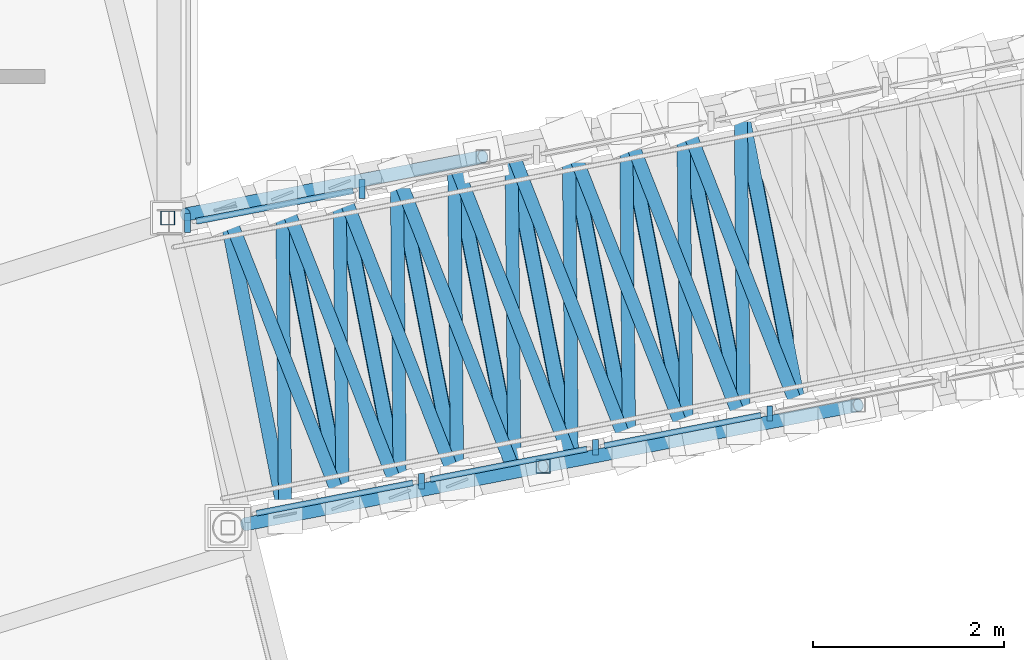
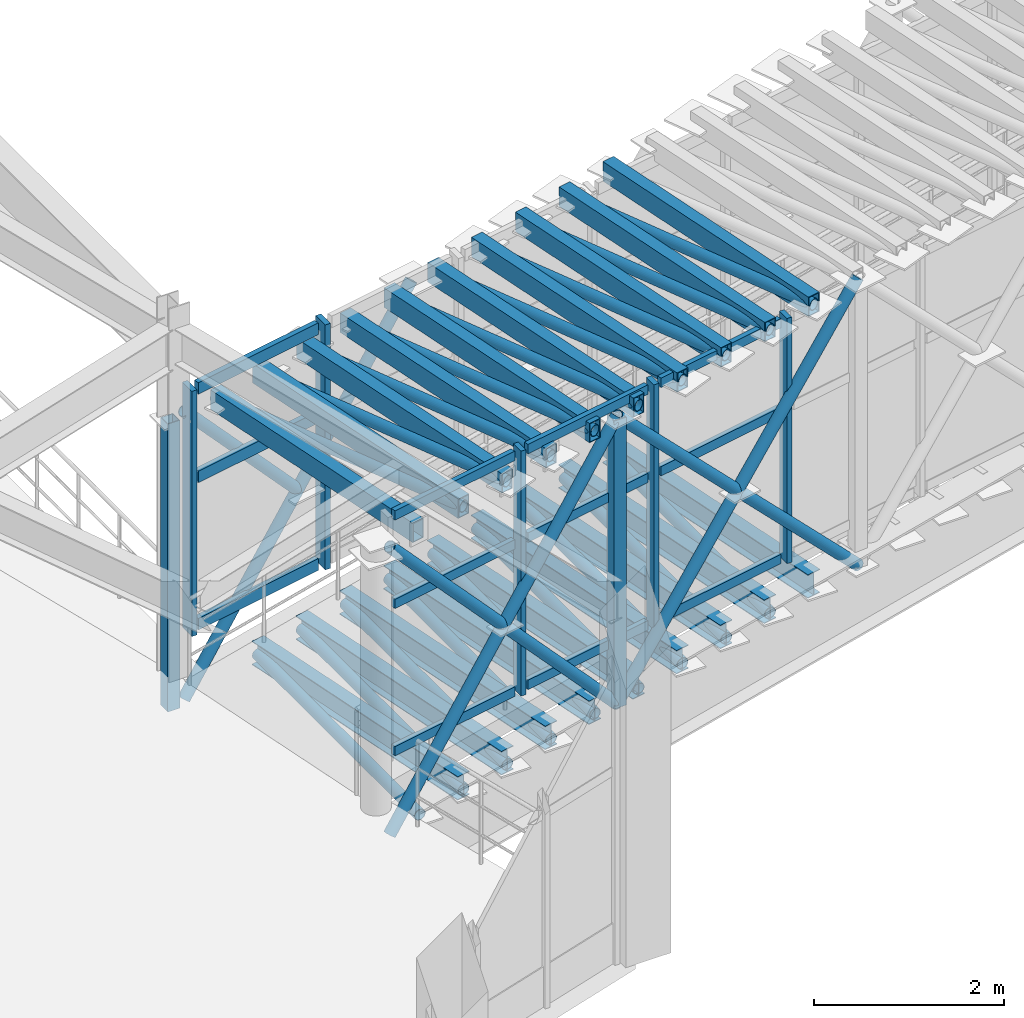
# One storey, part 47 of 144: 55 members, 9 beams, 2 elements without a shape of their own.
"""IFC4 building model written with IfcOpenShell, lengths in metres."""

from ifc_helpers import new_model, si_unit, direction, frame, origin, origin_2d, place, context, subcontext, project, spatial, rectangle, hollow_rectangle, hollow_circle, i_section, extrude, material, material_profile, profile_set, type_object, element, aggregate, save


model = new_model("IFC4")

# Units and contexts
model_context = context("Model", 3, precision=1e-05, world=origin(), true_north=direction((0.0, 1.0)))
body_context = subcontext(model_context, "Body", "Model", "MODEL_VIEW")
ifc_project = project(units=[si_unit("LENGTHUNIT", "METRE"), si_unit("AREAUNIT", "SQUARE_METRE"), si_unit("VOLUMEUNIT", "CUBIC_METRE"), si_unit("PLANEANGLEUNIT", "RADIAN"), si_unit("MASSUNIT", "GRAM", prefix="KILO")], contexts=[model_context])

# Site, building, storey
site_placement = place(None, origin())
site = spatial("IfcSite", under=ifc_project, at=site_placement, CompositionType="ELEMENT")
building_placement = place(site_placement, origin())
building = spatial("IfcBuilding", under=site, at=building_placement, Name="Cinderbank Siding Concert Hall", CompositionType="ELEMENT")
storey_placement = place(building_placement, frame((0.0, 0.0, 5.39990234375)))
storey = spatial("IfcBuildingStorey", under=building, at=storey_placement, Name="L02", CompositionType="ELEMENT", Elevation=5.39990234375)

# Members
ifc_material_1 = material(Name="Structural steel hollow section AS/NZS 1163 Grade C350L0 (350 MPa)", Category="steel")
ifc_material_profile_1 = material_profile(ifc_material_1, hollow_circle(Radius=0.06982421875, WallThickness=0.00634765625, at=origin_2d()), Name="139.7x6.4CHS", Category="LoadBearing")
ifc_profile_set_1 = profile_set([ifc_material_profile_1], Name="Structural steel hollow section AS/NZS 1163 Grade C350L0 (350 MPa)")
member_type_1 = type_object("IfcMemberType", Name="BR-CHS139 139.7x6.4CHS Roof Truss", PredefinedType="BRACE", material=ifc_profile_set_1)
member_1_placement = place(storey_placement, frame((48.671630859375, 98.156005859375, -0.436279296875), z_axis=(0.616658448325, 0.119838614193, 0.778055952139), x_axis=(-0.190766589414, 0.981635425381, 0.0)))
element("IfcMember", 1, at=member_1_placement, inside=storey, type_object=member_type_1, Name="L02 Diagonal Brace BR-CHS139 #BRDL-BR-CHS139-L02-0040", PredefinedType="BRACE", context=body_context, shape_type="SweptSolid", body=[
    extrude(hollow_circle(Radius=0.06982421875, WallThickness=0.00634765625, at=origin_2d()), origin(), (0.0, 0.0, 1.0), 5.046142578125),
])
member_2_placement = place(storey_placement, frame((48.671630859375, 98.156005859375, 3.263671875), z_axis=(0.661727411759, 0.128541490282, -0.738643295375), x_axis=(-0.190687077549, 0.981650874016, 0.0)))
element("IfcMember", 2, at=member_2_placement, inside=storey, type_object=member_type_1, Name="L02 Diagonal Brace BR-CHS139 #BRDL-BR-CHS139-L02-0041", PredefinedType="BRACE", context=body_context, shape_type="SweptSolid", body=[
    extrude(hollow_circle(Radius=0.06982421875, WallThickness=0.00634765625, at=origin_2d()), origin(), (0.0, 0.0, 1.0), 2.336181640625),
])
member_3_placement = place(storey_placement, frame((49.301513671875, 94.916259765625, -0.436279296875), z_axis=(0.616654872336, 0.119886299517, 0.77805144021), x_axis=(-0.190840800226, 0.981621000677, 0.0)))
element("IfcMember", 3, at=member_3_placement, inside=storey, type_object=member_type_1, Name="L02 Diagonal Brace BR-CHS139 #BRDR-BR-CHS139-L02-0052", PredefinedType="BRACE", context=body_context, shape_type="SweptSolid", body=[
    extrude(hollow_circle(Radius=0.06982421875, WallThickness=0.00634765625, at=origin_2d()), origin(), (0.0, 0.0, 1.0), 5.04638671875),
])
member_4_placement = place(storey_placement, frame((49.301513671875, 94.916259765625, 3.263671875), z_axis=(0.661718519166, 0.128644266755, -0.738633369151), x_axis=(-0.190836463929, 0.981621843703, 0.0)))
element("IfcMember", 4, at=member_4_placement, inside=storey, type_object=member_type_1, Name="L02 Diagonal Brace BR-CHS139 #BRDR-BR-CHS139-L02-0053", PredefinedType="BRACE", context=body_context, shape_type="SweptSolid", body=[
    extrude(hollow_circle(Radius=0.06982421875, WallThickness=0.00634765625, at=origin_2d()), origin(), (0.0, 0.0, 1.0), 2.336181640625),
])
member_5_placement = place(storey_placement, frame((50.8671875, 95.220703125, 1.515869140625), z_axis=(0.661726184435, 0.128625443398, -0.738629780163), x_axis=(-0.190807427444, 0.981627488222, 0.0)))
element("IfcMember", 5, at=member_5_placement, inside=storey, type_object=member_type_1, Name="L02 Diagonal Brace BR-CHS139 #BRDR-BR-CHS139-L02-0053-S5", PredefinedType="BRACE", context=body_context, shape_type="SweptSolid", body=[
    extrude(hollow_circle(Radius=0.06982421875, WallThickness=0.00634765625, at=origin_2d()), origin(), (0.0, 0.0, 1.0), 2.33642578125),
])
member_6_placement = place(storey_placement, frame((52.413330078125, 95.521240234375, -0.2099609375), z_axis=(0.636941217674, 0.123861468564, 0.760896985034), x_axis=(-0.190887163155, 0.981611985941, 0.0)))
element("IfcMember", 6, at=member_6_placement, inside=storey, type_object=member_type_1, Name="L02 Diagonal Brace BR-CHS139 #BRDR-BR-CHS139-L02-0055", PredefinedType="BRACE", context=body_context, shape_type="SweptSolid", body=[
    extrude(hollow_circle(Radius=0.06982421875, WallThickness=0.00634765625, at=origin_2d()), origin(), (0.0, 0.0, 1.0), 5.177978515625),
])
member_7_placement = place(storey_placement, frame((52.413330078125, 95.521240234375, 3.489990234375), z_axis=(0.683867487027, 0.132962912779, -0.717388405268), x_axis=(-0.19085400127, 0.981618434117, 0.0)))
element("IfcMember", 7, at=member_7_placement, inside=storey, type_object=member_type_1, Name="L02 Diagonal Brace BR-CHS139 #BRDR-BR-CHS139-L02-0056", PredefinedType="BRACE", context=body_context, shape_type="SweptSolid", body=[
    extrude(hollow_circle(Radius=0.06982421875, WallThickness=0.00634765625, at=origin_2d()), origin(), (0.0, 0.0, 1.0), 2.396240234375),
])
member_8_placement = place(storey_placement, frame((54.072509765625, 95.843994140625, 1.749267578125), z_axis=(0.683871737706, 0.132943932326, -0.717387870837), x_axis=(-0.190826606127, 0.981623760101, 0.0)))
element("IfcMember", 8, at=member_8_placement, inside=storey, type_object=member_type_1, Name="L02 Diagonal Brace BR-CHS139 #BRDR-BR-CHS139-L02-0056-S6", PredefinedType="BRACE", context=body_context, shape_type="SweptSolid", body=[
    extrude(hollow_circle(Radius=0.06982421875, WallThickness=0.00634765625, at=origin_2d()), origin(), (0.0, 0.0, 1.0), 2.396484375),
])
member_9_placement = place(storey_placement, frame((49.714599609375, 94.99658203125, -0.376220703125), z_axis=(-0.008946290266, 0.999875221798, 0.013019398029), x_axis=(-0.99995997436, -0.008947048581, 0.0)))
element("IfcMember", 9, at=member_9_placement, inside=storey, type_object=member_type_1, Name="L02 Diagonal Brace BR-CHS139 #BRST-BR-CHS139-L02-0065", PredefinedType="BRACE", context=body_context, shape_type="SweptSolid", body=[
    extrude(hollow_circle(Radius=0.06982421875, WallThickness=0.00634765625, at=origin_2d()), origin(), (0.0, 0.0, 1.0), 3.356689453125),
])
member_10_placement = place(storey_placement, frame((49.084716796875, 98.236083984375, 3.263671875), z_axis=(0.366375149521, -0.930376124186, 0.013019883217), x_axis=(0.930454991664, 0.366406206943, 0.0)))
element("IfcMember", 10, at=member_10_placement, inside=storey, type_object=member_type_1, Name="L02 Diagonal Brace BR-CHS139 #BRXR-BR-CHS139-L02-0066", PredefinedType="BRACE", context=body_context, shape_type="SweptSolid", body=[
    extrude(hollow_circle(Radius=0.06982421875, WallThickness=0.00634765625, at=origin_2d()), origin(), (0.0, 0.0, 1.0), 3.3564453125),
])
for number, where, z_axis, x_axis, name in (
    (11, (50.314453125, 95.11328125, -0.33251953125), (-0.009019026957, 0.999875512725, 0.012946667729), (-0.999959320931, -0.00901978292, 0.0), "L02 Diagonal Brace BR-CHS139 #BRST-BR-CHS139-L02-0068"),
    (12, (49.6845703125, 98.352783203125, 3.307373046875), (0.366287384681, -0.930410688015, 0.013019349058), (0.930489551952, 0.366318432116, 0.0), "L02 Diagonal Brace BR-CHS139 #BRXR-BR-CHS139-L02-0069"),
    (13, (50.9140625, 95.229736328125, -0.2890625), (-0.00901901844, 0.999874568535, 0.013019389523), (-0.999959320931, -0.00901978292, 0.0), "L02 Diagonal Brace BR-CHS139 #BRST-BR-CHS139-L02-0071"),
    (14, (50.2841796875, 98.469482421875, 3.35107421875), (0.366287730568, -0.930411566605, 0.01294662749), (0.930489551952, 0.366318432116, 0.0), "L02 Diagonal Brace BR-CHS139 #BRXR-BR-CHS139-L02-0072"),
):
    element("IfcMember", number, at=place(storey_placement, frame(where, z_axis=z_axis, x_axis=x_axis)), inside=storey, type_object=member_type_1, Name=name, PredefinedType="BRACE", context=body_context, shape_type="SweptSolid", body=[
        extrude(hollow_circle(Radius=0.06982421875, WallThickness=0.00634765625, at=origin_2d()), origin(), (0.0, 0.0, 1.0), 3.356689453125),
    ])
member_11_placement = place(storey_placement, frame((51.513671875, 95.346435546875, -0.245361328125), z_axis=(-0.009019674395, 0.999874550288, 0.013020336425), x_axis=(-0.999959315012, -0.009020439041, 0.0)))
element("IfcMember", 15, at=member_11_placement, inside=storey, type_object=member_type_1, Name="L02 Diagonal Brace BR-CHS139 #BRST-BR-CHS139-L02-0074", PredefinedType="BRACE", context=body_context, shape_type="SweptSolid", body=[
    extrude(hollow_circle(Radius=0.06982421875, WallThickness=0.00634765625, at=origin_2d()), origin(), (0.0, 0.0, 1.0), 3.3564453125),
])
for number, where, z_axis, x_axis, name in (
    (16, (50.8837890625, 98.5859375, 3.39453125), (0.366287384681, -0.930410688015, 0.013019349058), (0.930489551952, 0.366318432116, 0.0), "L02 Diagonal Brace BR-CHS139 #BRXR-BR-CHS139-L02-0075"),
    (17, (52.11328125, 95.462890625, -0.20166015625), (-0.008946298714, 0.99987616599, 0.012946676187), (-0.99995997436, -0.008947048581, 0.0), "L02 Diagonal Brace BR-CHS139 #BRST-BR-CHS139-L02-0077"),
):
    element("IfcMember", number, at=place(storey_placement, frame(where, z_axis=z_axis, x_axis=x_axis)), inside=storey, type_object=member_type_1, Name=name, PredefinedType="BRACE", context=body_context, shape_type="SweptSolid", body=[
        extrude(hollow_circle(Radius=0.06982421875, WallThickness=0.00634765625, at=origin_2d()), origin(), (0.0, 0.0, 1.0), 3.356689453125),
    ])
for number, where, z_axis, x_axis, name in (
    (18, (51.4833984375, 98.702392578125, 3.438232421875), (0.366375149521, -0.930376124186, 0.013019883217), (0.930454991664, 0.366406206943, 0.0), "L02 Diagonal Brace BR-CHS139 #BRXR-BR-CHS139-L02-0078"),
    (19, (52.713134765625, 95.57958984375, -0.158203125), (-0.009019674395, 0.999874550288, 0.013020336425), (-0.999959315012, -0.009020439041, 0.0), "L02 Diagonal Brace BR-CHS139 #BRST-BR-CHS139-L02-0080"),
):
    element("IfcMember", number, at=place(storey_placement, frame(where, z_axis=z_axis, x_axis=x_axis)), inside=storey, type_object=member_type_1, Name=name, PredefinedType="BRACE", context=body_context, shape_type="SweptSolid", body=[
        extrude(hollow_circle(Radius=0.06982421875, WallThickness=0.00634765625, at=origin_2d()), origin(), (0.0, 0.0, 1.0), 3.3564453125),
    ])
for number, where, z_axis, x_axis, name in (
    (20, (52.083251953125, 98.819091796875, 3.48193359375), (0.366287384681, -0.930410688015, 0.013019349058), (0.930489551952, 0.366318432116, 0.0), "L02 Diagonal Brace BR-CHS139 #BRXR-BR-CHS139-L02-0081"),
    (21, (53.312744140625, 95.696044921875, -0.114501953125), (-0.008946290266, 0.999875221798, 0.013019398029), (-0.99995997436, -0.008947048581, 0.0), "L02 Diagonal Brace BR-CHS139 #BRST-BR-CHS139-L02-0083"),
):
    element("IfcMember", number, at=place(storey_placement, frame(where, z_axis=z_axis, x_axis=x_axis)), inside=storey, type_object=member_type_1, Name=name, PredefinedType="BRACE", context=body_context, shape_type="SweptSolid", body=[
        extrude(hollow_circle(Radius=0.06982421875, WallThickness=0.00634765625, at=origin_2d()), origin(), (0.0, 0.0, 1.0), 3.356689453125),
    ])
for number, where, z_axis, x_axis, name in (
    (22, (52.682861328125, 98.935546875, 3.525634765625), (0.366375495518, -0.930377002814, 0.012947158666), (0.930454991664, 0.366406206943, 0.0), "L02 Diagonal Brace BR-CHS139 #BRXR-BR-CHS139-L02-0084"),
    (23, (53.91259765625, 95.812744140625, -0.07080078125), (-0.009092407715, 0.999873891641, 0.013020327848), (-0.999958656197, -0.009093178526, 0.0), "L02 Diagonal Brace BR-CHS139 #BRST-BR-CHS139-L02-0086"),
):
    element("IfcMember", number, at=place(storey_placement, frame(where, z_axis=z_axis, x_axis=x_axis)), inside=storey, type_object=member_type_1, Name=name, PredefinedType="BRACE", context=body_context, shape_type="SweptSolid", body=[
        extrude(hollow_circle(Radius=0.06982421875, WallThickness=0.00634765625, at=origin_2d()), origin(), (0.0, 0.0, 1.0), 3.3564453125),
    ])
for number, where, z_axis, x_axis, name in (
    (24, (53.28271484375, 99.05224609375, 3.569091796875), (0.366287384681, -0.930410688015, 0.013019349058), (0.930489551952, 0.366318432116, 0.0), "L02 Diagonal Brace BR-CHS139 #BRXR-BR-CHS139-L02-0087"),
    (25, (54.51220703125, 95.92919921875, -0.027099609375), (-0.00901901844, 0.999874568535, 0.013019389523), (-0.999959320931, -0.00901978292, 0.0), "L02 Diagonal Brace BR-CHS139 #BRST-BR-CHS139-L02-0089"),
):
    element("IfcMember", number, at=place(storey_placement, frame(where, z_axis=z_axis, x_axis=x_axis)), inside=storey, type_object=member_type_1, Name=name, PredefinedType="BRACE", context=body_context, shape_type="SweptSolid", body=[
        extrude(hollow_circle(Radius=0.06982421875, WallThickness=0.00634765625, at=origin_2d()), origin(), (0.0, 0.0, 1.0), 3.356689453125),
    ])
member_12_placement = place(storey_placement, frame((53.882080078125, 99.168701171875, 3.61279296875), z_axis=(0.366375149521, -0.930376124186, 0.013019883217), x_axis=(0.930454991664, 0.366406206943, 0.0)))
element("IfcMember", 26, at=member_12_placement, inside=storey, type_object=member_type_1, Name="L02 Diagonal Brace BR-CHS139 #BRXR-BR-CHS139-L02-0090", PredefinedType="BRACE", context=body_context, shape_type="SweptSolid", body=[
    extrude(hollow_circle(Radius=0.06982421875, WallThickness=0.00634765625, at=origin_2d()), origin(), (0.0, 0.0, 1.0), 3.3564453125),
])
ifc_material_profile_2 = material_profile(ifc_material_1, hollow_rectangle(XDim=0.14990234375, YDim=0.14990234375, WallThickness=0.008056640625, at=origin_2d()), Name="150x150x8.0SHS", Category="LoadBearing")
ifc_profile_set_2 = profile_set([ifc_material_profile_2], Name="Structural steel hollow section AS/NZS 1163 Grade C350L0 (350 MPa)")
member_type_2 = type_object("IfcMemberType", Name="BR-SHS150 150x150x8.0SHS Roof Truss", PredefinedType="BRACE", material=ifc_profile_set_2)
for number, where, z_axis, x_axis, name in (
    (27, (48.485107421875, 98.11962890625, -0.449951171875), (0.0, 0.0, 1.0), (1.0, 0.0, 0.0), "L02 Diagonal Brace BR-SHS150 #BRVL-BR-SHS150-L02-0039"),
    (28, (52.413330078125, 95.521240234375, -0.2099609375), (0.0, 0.0, 1.0), (1.0, 0.0, 0.0), "L02 Diagonal Brace BR-SHS150 #BRVR-BR-SHS150-L02-0054"),
):
    element("IfcMember", number, at=place(storey_placement, frame(where, z_axis=z_axis, x_axis=x_axis)), inside=storey, type_object=member_type_2, Name=name, PredefinedType="BRACE", context=body_context, shape_type="SweptSolid", body=[
        extrude(hollow_rectangle(XDim=0.14990234375, YDim=0.14990234375, WallThickness=0.008056640625, at=origin_2d()), origin(), (0.0, 0.0, 1.0), 3.699951171875),
    ])

# Curtain wall, members
ifc_material_2 = material(Name="Anodised aluminium alloy 6063-T6", Category="aluminium")
curtain_wall_type = type_object("IfcCurtainWallType", Name="CW-15 Unitised Acoustic Curtain Wall 12800x3200", PredefinedType="NOTDEFINED", material=ifc_material_2)
curtain_wall_1_placement = place(storey_placement, origin())
curtain_wall_1 = element("IfcCurtainWall", 29, at=curtain_wall_1_placement, inside=storey, type_object=curtain_wall_type, Name="L02 Curtain Wall CW-15 #154", PredefinedType="NOTDEFINED")
ifc_material_profile_3 = material_profile(ifc_material_2, rectangle(XDim=0.06005859375, YDim=0.159912109375, at=origin_2d()), Name="ALU-MULL-60x160", Category="LoadBearing")
ifc_profile_set_3 = profile_set([ifc_material_profile_3], Name="Anodised aluminium alloy 6063-T6")
member_type_3 = type_object("IfcMemberType", Name="CW-ML1 Mullion 60x160", PredefinedType="MULLION", material=ifc_profile_set_3)
member_13_placement = place(storey_placement, frame((51.1416015625, 95.365966796875, 0.47998046875), z_axis=(0.0, 0.0, 1.0), x_axis=(1.0, 0.0, 0.0)))
member_13 = element("IfcMember", 30, at=member_13_placement, type_object=member_type_3, Name="CW-L02-154 Mullion 1", PredefinedType="MULLION", context=body_context, shape_type="SweptSolid", body=[
    extrude(rectangle(XDim=0.06005859375, YDim=0.159912109375, at=origin_2d()), origin(), (0.0, 0.0, 1.0), 3.150146484375),
])
member_14_placement = place(storey_placement, frame((52.962646484375, 95.719970703125, 0.47998046875), z_axis=(0.0, 0.0, 1.0), x_axis=(1.0, 0.0, 0.0)))
member_14 = element("IfcMember", 31, at=member_14_placement, type_object=member_type_3, Name="CW-L02-154 Mullion 2", PredefinedType="MULLION", context=body_context, shape_type="SweptSolid", body=[
    extrude(rectangle(XDim=0.06005859375, YDim=0.159912109375, at=origin_2d()), origin(), (0.0, 0.0, 1.0), 3.150146484375),
])
member_15_placement = place(storey_placement, frame((54.78369140625, 96.073974609375, 0.47998046875), z_axis=(0.0, 0.0, 1.0), x_axis=(1.0, 0.0, 0.0)))
member_15 = element("IfcMember", 32, at=member_15_placement, type_object=member_type_3, Name="CW-L02-154 Mullion 3", PredefinedType="MULLION", context=body_context, shape_type="SweptSolid", body=[
    extrude(rectangle(XDim=0.06005859375, YDim=0.159912109375, at=origin_2d()), origin(), (0.0, 0.0, 1.0), 3.150146484375),
])

curtain_wall_2_placement = place(storey_placement, origin())
curtain_wall_2 = element("IfcCurtainWall", 33, at=curtain_wall_2_placement, inside=storey, type_object=curtain_wall_type, Name="L02 Curtain Wall CW-15 #153", PredefinedType="NOTDEFINED")
ifc_material_profile_4 = material_profile(ifc_material_2, rectangle(XDim=0.06494140625, YDim=0.199951171875, at=origin_2d()), Name="ALU-MULL-65x200", Category="LoadBearing")
ifc_profile_set_4 = profile_set([ifc_material_profile_4], Name="Anodised aluminium alloy 6063-T6")
member_type_4 = type_object("IfcMemberType", Name="CW-ML2 Mullion 65x200", PredefinedType="MULLION", material=ifc_profile_set_4)
member_16_placement = place(storey_placement, frame((48.69189453125, 98.068115234375, 0.47998046875), z_axis=(0.0, 0.0, 1.0), x_axis=(1.0, 0.0, 0.0)))
member_16 = element("IfcMember", 34, at=member_16_placement, type_object=member_type_4, Name="CW-L02-153 Mullion 0", PredefinedType="MULLION", context=body_context, shape_type="SweptSolid", body=[
    extrude(rectangle(XDim=0.06494140625, YDim=0.199951171875, at=origin_2d()), origin(), (0.0, 0.0, 1.0), 3.150146484375),
])
member_17_placement = place(storey_placement, frame((50.517578125, 98.423095703125, 0.47998046875), z_axis=(0.0, 0.0, 1.0), x_axis=(1.0, 0.0, 0.0)))
member_17 = element("IfcMember", 35, at=member_17_placement, type_object=member_type_4, Name="CW-L02-153 Mullion 1", PredefinedType="MULLION", context=body_context, shape_type="SweptSolid", body=[
    extrude(rectangle(XDim=0.06494140625, YDim=0.199951171875, at=origin_2d()), origin(), (0.0, 0.0, 1.0), 3.150146484375),
])

# Member
ifc_material_profile_5 = material_profile(ifc_material_2, rectangle(XDim=0.06005859375, YDim=0.1201171875, at=origin_2d()), Name="ALU-TRAN-60x120", Category="LoadBearing")
ifc_profile_set_5 = profile_set([ifc_material_profile_5], Name="Anodised aluminium alloy 6063-T6")
member_type_5 = type_object("IfcMemberType", Name="CW-TR1 Transom 60x120", PredefinedType="USERDEFINED", material=ifc_profile_set_5)
member_18_placement = place(storey_placement, frame((49.41162109375, 95.02978515625, 0.5400390625), z_axis=(0.981623760101, 0.190826606127, 0.0), x_axis=(-0.190826606127, 0.981623760101, 0.0)))
member_18 = element("IfcMember", 36, at=member_18_placement, type_object=member_type_5, Name="CW-L02-154 Transom 0-0", ObjectType="TRANSOM", PredefinedType="USERDEFINED", context=body_context, shape_type="SweptSolid", body=[
    extrude(rectangle(XDim=0.06005859375, YDim=0.1201171875, at=origin_2d()), origin(), (0.0, 0.0, 1.0), 1.669677734375),
])

member_19_placement = place(storey_placement, frame((49.41162109375, 95.02978515625, 2.43310546875), z_axis=(0.981623760101, 0.190826606127, 0.0), x_axis=(-0.190826606127, 0.981623760101, 0.0)))
member_19 = element("IfcMember", 37, at=member_19_placement, type_object=member_type_5, Name="CW-L02-154 Transom 0-1", ObjectType="TRANSOM", PredefinedType="USERDEFINED", context=body_context, shape_type="SweptSolid", body=[
    extrude(rectangle(XDim=0.06005859375, YDim=0.1201171875, at=origin_2d()), origin(), (0.0, 0.0, 1.0), 1.669677734375),
])

member_20_placement = place(storey_placement, frame((49.41162109375, 95.02978515625, 3.570068359375), z_axis=(0.981623760101, 0.190826606127, 0.0), x_axis=(-0.190826606127, 0.981623760101, 0.0)))
member_20 = element("IfcMember", 38, at=member_20_placement, type_object=member_type_5, Name="CW-L02-154 Transom 0-2", ObjectType="TRANSOM", PredefinedType="USERDEFINED", context=body_context, shape_type="SweptSolid", body=[
    extrude(rectangle(XDim=0.06005859375, YDim=0.1201171875, at=origin_2d()), origin(), (0.0, 0.0, 1.0), 1.669677734375),
])

member_21_placement = place(storey_placement, frame((51.232666015625, 95.3837890625, 0.5400390625), z_axis=(0.981651142036, 0.190685697783, 0.0), x_axis=(-0.190685697783, 0.981651142036, 0.0)))
member_21 = element("IfcMember", 39, at=member_21_placement, type_object=member_type_5, Name="CW-L02-154 Transom 1-0", ObjectType="TRANSOM", PredefinedType="USERDEFINED", context=body_context, shape_type="SweptSolid", body=[
    extrude(rectangle(XDim=0.06005859375, YDim=0.1201171875, at=origin_2d()), origin(), (0.0, 0.0, 1.0), 1.66943359375),
])

member_22_placement = place(storey_placement, frame((51.232666015625, 95.3837890625, 2.43310546875), z_axis=(0.981651142036, 0.190685697783, 0.0), x_axis=(-0.190685697783, 0.981651142036, 0.0)))
member_22 = element("IfcMember", 40, at=member_22_placement, type_object=member_type_5, Name="CW-L02-154 Transom 1-1", ObjectType="TRANSOM", PredefinedType="USERDEFINED", context=body_context, shape_type="SweptSolid", body=[
    extrude(rectangle(XDim=0.06005859375, YDim=0.1201171875, at=origin_2d()), origin(), (0.0, 0.0, 1.0), 1.66943359375),
])

member_23_placement = place(storey_placement, frame((51.232666015625, 95.3837890625, 3.570068359375), z_axis=(0.981651142036, 0.190685697783, 0.0), x_axis=(-0.190685697783, 0.981651142036, 0.0)))
member_23 = element("IfcMember", 41, at=member_23_placement, type_object=member_type_5, Name="CW-L02-154 Transom 1-2", ObjectType="TRANSOM", PredefinedType="USERDEFINED", context=body_context, shape_type="SweptSolid", body=[
    extrude(rectangle(XDim=0.06005859375, YDim=0.1201171875, at=origin_2d()), origin(), (0.0, 0.0, 1.0), 1.66943359375),
])

member_24_placement = place(storey_placement, frame((53.0537109375, 95.737548828125, 0.5400390625), z_axis=(0.981623760101, 0.190826606127, 0.0), x_axis=(-0.190826606127, 0.981623760101, 0.0)))
member_24 = element("IfcMember", 42, at=member_24_placement, type_object=member_type_5, Name="CW-L02-154 Transom 2-0", ObjectType="TRANSOM", PredefinedType="USERDEFINED", context=body_context, shape_type="SweptSolid", body=[
    extrude(rectangle(XDim=0.06005859375, YDim=0.1201171875, at=origin_2d()), origin(), (0.0, 0.0, 1.0), 1.669677734375),
])

member_25_placement = place(storey_placement, frame((53.0537109375, 95.737548828125, 2.43310546875), z_axis=(0.981623760101, 0.190826606127, 0.0), x_axis=(-0.190826606127, 0.981623760101, 0.0)))
member_25 = element("IfcMember", 43, at=member_25_placement, type_object=member_type_5, Name="CW-L02-154 Transom 2-1", ObjectType="TRANSOM", PredefinedType="USERDEFINED", context=body_context, shape_type="SweptSolid", body=[
    extrude(rectangle(XDim=0.06005859375, YDim=0.1201171875, at=origin_2d()), origin(), (0.0, 0.0, 1.0), 1.669677734375),
])

member_26_placement = place(storey_placement, frame((53.0537109375, 95.737548828125, 3.570068359375), z_axis=(0.981623760101, 0.190826606127, 0.0), x_axis=(-0.190826606127, 0.981623760101, 0.0)))
member_26 = element("IfcMember", 44, at=member_26_placement, type_object=member_type_5, Name="CW-L02-154 Transom 2-2", ObjectType="TRANSOM", PredefinedType="USERDEFINED", context=body_context, shape_type="SweptSolid", body=[
    extrude(rectangle(XDim=0.06005859375, YDim=0.1201171875, at=origin_2d()), origin(), (0.0, 0.0, 1.0), 1.669677734375),
])

aggregate(curtain_wall_1, [member_13, member_14, member_15, member_18, member_19, member_20, member_21, member_22, member_23, member_24, member_25, member_26])

ifc_material_profile_6 = material_profile(ifc_material_2, rectangle(XDim=0.06494140625, YDim=0.14990234375, at=origin_2d()), Name="ALU-TRAN-65x150", Category="LoadBearing")
ifc_profile_set_6 = profile_set([ifc_material_profile_6], Name="Anodised aluminium alloy 6063-T6")
member_type_6 = type_object("IfcMemberType", Name="CW-TR2 Transom 65x150", PredefinedType="USERDEFINED", material=ifc_profile_set_6)
member_27_placement = place(storey_placement, frame((48.783203125, 98.0859375, 0.5400390625), z_axis=(0.981632086513, 0.190783769563, 0.0), x_axis=(-0.190783769563, 0.981632086513, 0.0)))
member_27 = element("IfcMember", 45, at=member_27_placement, type_object=member_type_6, Name="CW-L02-153 Transom 0-0", ObjectType="TRANSOM", PredefinedType="USERDEFINED", context=body_context, shape_type="SweptSolid", body=[
    extrude(rectangle(XDim=0.06494140625, YDim=0.14990234375, at=origin_2d()), origin(), (0.0, 0.0, 1.0), 1.673828125),
])

member_28_placement = place(storey_placement, frame((48.783203125, 98.0859375, 2.43310546875), z_axis=(0.981632086513, 0.190783769563, 0.0), x_axis=(-0.190783769563, 0.981632086513, 0.0)))
member_28 = element("IfcMember", 46, at=member_28_placement, type_object=member_type_6, Name="CW-L02-153 Transom 0-1", ObjectType="TRANSOM", PredefinedType="USERDEFINED", context=body_context, shape_type="SweptSolid", body=[
    extrude(rectangle(XDim=0.06494140625, YDim=0.14990234375, at=origin_2d()), origin(), (0.0, 0.0, 1.0), 1.673828125),
])

member_29_placement = place(storey_placement, frame((48.783203125, 98.0859375, 3.570068359375), z_axis=(0.981632086513, 0.190783769563, 0.0), x_axis=(-0.190783769563, 0.981632086513, 0.0)))
member_29 = element("IfcMember", 47, at=member_29_placement, type_object=member_type_6, Name="CW-L02-153 Transom 0-2", ObjectType="TRANSOM", PredefinedType="USERDEFINED", context=body_context, shape_type="SweptSolid", body=[
    extrude(rectangle(XDim=0.06494140625, YDim=0.14990234375, at=origin_2d()), origin(), (0.0, 0.0, 1.0), 1.673828125),
])

aggregate(curtain_wall_2, [member_16, member_17, member_27, member_28, member_29])

# Beams
ifc_material_3 = material(Name="Structural steel AS/NZS 3679.1 Grade 350 (340 MPa)", Category="steel")
ifc_material_profile_7 = material_profile(ifc_material_3, i_section(OverallWidth=0.1650390625, OverallDepth=0.303955078125, WebThickness=0.006103515625, FlangeThickness=0.01025390625, at=origin_2d()), Name="310UB40.4", Category="LoadBearing")
ifc_profile_set_7 = profile_set([ifc_material_profile_7], Name="Structural steel AS/NZS 3679.1 Grade 350 (340 MPa)")
beam_type = type_object("IfcBeamType", Name="JS-UB310 310UB40.4", PredefinedType="JOIST", material=ifc_profile_set_7)
beam_1_placement = place(storey_placement, frame((50.314453125, 95.11328125, -0.28466796875), z_axis=(-0.190863718843, 0.9816165447, 0.0), x_axis=(-0.9816165447, -0.190863718843, 0.0)))
element("IfcBeam", 48, at=beam_1_placement, inside=storey, type_object=beam_type, Name="L02 Beam JS-UB310 #1904", PredefinedType="JOIST", context=body_context, shape_type="SweptSolid", body=[
    extrude(i_section(OverallWidth=0.1650390625, OverallDepth=0.303955078125, WebThickness=0.006103515625, FlangeThickness=0.01025390625, at=origin_2d()), origin(), (0.0, 0.0, 1.0), 3.300048828125),
])
beam_2_placement = place(storey_placement, frame((50.9140625, 95.229736328125, -0.240966796875), z_axis=(-0.190849859649, 0.981619239355, 0.0), x_axis=(-0.981619239355, -0.190849859649, 0.0)))
element("IfcBeam", 49, at=beam_2_placement, inside=storey, type_object=beam_type, Name="L02 Beam JS-UB310 #1905", PredefinedType="JOIST", context=body_context, shape_type="SweptSolid", body=[
    extrude(i_section(OverallWidth=0.1650390625, OverallDepth=0.303955078125, WebThickness=0.006103515625, FlangeThickness=0.01025390625, at=origin_2d()), origin(), (0.0, 0.0, 1.0), 3.30029296875),
])
for number, where, z_axis, x_axis, name in (
    (50, (51.513671875, 95.346435546875, -0.197509765625), (-0.190863718843, 0.9816165447, 0.0), (-0.9816165447, -0.190863718843, 0.0), "L02 Beam JS-UB310 #1906"),
    (51, (52.11328125, 95.462890625, -0.15380859375), (-0.190863718843, 0.9816165447, 0.0), (-0.9816165447, -0.190863718843, 0.0), "L02 Beam JS-UB310 #1907"),
    (52, (52.713134765625, 95.57958984375, -0.110107421875), (-0.190863718843, 0.9816165447, 0.0), (-0.9816165447, -0.190863718843, 0.0), "L02 Beam JS-UB310 #1908"),
    (53, (53.312744140625, 95.696044921875, -0.06640625), (-0.190863718843, 0.9816165447, 0.0), (-0.9816165447, -0.190863718843, 0.0), "L02 Beam JS-UB310 #1909"),
    (54, (53.91259765625, 95.812744140625, -0.022705078125), (-0.190863718843, 0.9816165447, 0.0), (-0.9816165447, -0.190863718843, 0.0), "L02 Beam JS-UB310 #1910"),
):
    element("IfcBeam", number, at=place(storey_placement, frame(where, z_axis=z_axis, x_axis=x_axis)), inside=storey, type_object=beam_type, Name=name, PredefinedType="JOIST", context=body_context, shape_type="SweptSolid", body=[
        extrude(i_section(OverallWidth=0.1650390625, OverallDepth=0.303955078125, WebThickness=0.006103515625, FlangeThickness=0.01025390625, at=origin_2d()), origin(), (0.0, 0.0, 1.0), 3.300048828125),
    ])
beam_3_placement = place(storey_placement, frame((54.51220703125, 95.92919921875, 0.020751953125), z_axis=(-0.19093500057, 0.981602682126, 0.0), x_axis=(-0.981602682126, -0.19093500057, 0.0)))
element("IfcBeam", 55, at=beam_3_placement, inside=storey, type_object=beam_type, Name="L02 Beam JS-UB310 #1911", PredefinedType="JOIST", context=body_context, shape_type="SweptSolid", body=[
    extrude(i_section(OverallWidth=0.1650390625, OverallDepth=0.303955078125, WebThickness=0.006103515625, FlangeThickness=0.01025390625, at=origin_2d()), origin(), (0.0, 0.0, 1.0), 3.30029296875),
])
beam_4_placement = place(storey_placement, frame((55.11181640625, 96.0458984375, 0.064453125), z_axis=(-0.190863718843, 0.9816165447, 0.0), x_axis=(-0.9816165447, -0.190863718843, 0.0)))
element("IfcBeam", 56, at=beam_4_placement, inside=storey, type_object=beam_type, Name="L02 Beam JS-UB310 #1912", PredefinedType="JOIST", context=body_context, shape_type="SweptSolid", body=[
    extrude(i_section(OverallWidth=0.1650390625, OverallDepth=0.303955078125, WebThickness=0.006103515625, FlangeThickness=0.01025390625, at=origin_2d()), origin(), (0.0, 0.0, 1.0), 3.300048828125),
])

# Members
ifc_material_profile_8 = material_profile(ifc_material_1, hollow_rectangle(XDim=0.14990234375, YDim=0.25, WallThickness=0.009033203125, at=origin_2d()), Name="250x150x9.0RHS", Category="LoadBearing")
ifc_profile_set_8 = profile_set([ifc_material_profile_8], Name="Structural steel hollow section AS/NZS 1163 Grade C350L0 (350 MPa)")
member_type_7 = type_object("IfcMemberType", Name="PR-RHS250 250x150x9.0RHS Roof Truss", PredefinedType="PURLIN", material=ifc_profile_set_8)
member_30_placement = place(storey_placement, frame((49.7099609375, 95.02099609375, 3.263671875), z_axis=(-0.190855586349, 0.981618125933, 0.0), x_axis=(-0.981618125933, -0.190855586349, 0.0)))
element("IfcMember", 57, at=member_30_placement, inside=storey, type_object=member_type_7, Name="L02 Roof Truss Member PR-RHS250 #63", PredefinedType="PURLIN", context=body_context, shape_type="SweptSolid", body=[
    extrude(hollow_rectangle(XDim=0.14990234375, YDim=0.25, WallThickness=0.009033203125, at=origin_2d()), origin(), (0.0, 0.0, 1.0), 3.25048828125),
])
member_31_placement = place(storey_placement, frame((50.314453125, 95.11328125, 3.307373046875), z_axis=(-0.190863718843, 0.9816165447, 0.0), x_axis=(-0.9816165447, -0.190863718843, 0.0)))
element("IfcMember", 58, at=member_31_placement, inside=storey, type_object=member_type_7, Name="L02 Roof Truss Member PR-RHS250 #64", PredefinedType="PURLIN", context=body_context, shape_type="SweptSolid", body=[
    extrude(hollow_rectangle(XDim=0.14990234375, YDim=0.25, WallThickness=0.009033203125, at=origin_2d()), origin(), (0.0, 0.0, 1.0), 3.300048828125),
])
member_32_placement = place(storey_placement, frame((50.9140625, 95.229736328125, 3.35107421875), z_axis=(-0.190849859649, 0.981619239355, 0.0), x_axis=(-0.981619239355, -0.190849859649, 0.0)))
element("IfcMember", 59, at=member_32_placement, inside=storey, type_object=member_type_7, Name="L02 Roof Truss Member PR-RHS250 #67", PredefinedType="PURLIN", context=body_context, shape_type="SweptSolid", body=[
    extrude(hollow_rectangle(XDim=0.14990234375, YDim=0.25, WallThickness=0.009033203125, at=origin_2d()), origin(), (0.0, 0.0, 1.0), 3.30029296875),
])
for number, where, z_axis, x_axis, name in (
    (60, (51.513671875, 95.346435546875, 3.39453125), (-0.190863718843, 0.9816165447, 0.0), (-0.9816165447, -0.190863718843, 0.0), "L02 Roof Truss Member PR-RHS250 #70"),
    (61, (52.11328125, 95.462890625, 3.438232421875), (-0.190863718843, 0.9816165447, 0.0), (-0.9816165447, -0.190863718843, 0.0), "L02 Roof Truss Member PR-RHS250 #73"),
    (62, (52.713134765625, 95.57958984375, 3.48193359375), (-0.190863718843, 0.9816165447, 0.0), (-0.9816165447, -0.190863718843, 0.0), "L02 Roof Truss Member PR-RHS250 #76"),
    (63, (53.312744140625, 95.696044921875, 3.525634765625), (-0.190863718843, 0.9816165447, 0.0), (-0.9816165447, -0.190863718843, 0.0), "L02 Roof Truss Member PR-RHS250 #79"),
    (64, (53.91259765625, 95.812744140625, 3.569091796875), (-0.190863718843, 0.9816165447, 0.0), (-0.9816165447, -0.190863718843, 0.0), "L02 Roof Truss Member PR-RHS250 #82"),
):
    element("IfcMember", number, at=place(storey_placement, frame(where, z_axis=z_axis, x_axis=x_axis)), inside=storey, type_object=member_type_7, Name=name, PredefinedType="PURLIN", context=body_context, shape_type="SweptSolid", body=[
        extrude(hollow_rectangle(XDim=0.14990234375, YDim=0.25, WallThickness=0.009033203125, at=origin_2d()), origin(), (0.0, 0.0, 1.0), 3.300048828125),
    ])
member_33_placement = place(storey_placement, frame((54.51220703125, 95.92919921875, 3.61279296875), z_axis=(-0.19093500057, 0.981602682126, 0.0), x_axis=(-0.981602682126, -0.19093500057, 0.0)))
element("IfcMember", 65, at=member_33_placement, inside=storey, type_object=member_type_7, Name="L02 Roof Truss Member PR-RHS250 #85", PredefinedType="PURLIN", context=body_context, shape_type="SweptSolid", body=[
    extrude(hollow_rectangle(XDim=0.14990234375, YDim=0.25, WallThickness=0.009033203125, at=origin_2d()), origin(), (0.0, 0.0, 1.0), 3.30029296875),
])
member_34_placement = place(storey_placement, frame((55.11181640625, 96.0458984375, 3.656494140625), z_axis=(-0.190863718843, 0.9816165447, 0.0), x_axis=(-0.9816165447, -0.190863718843, 0.0)))
element("IfcMember", 66, at=member_34_placement, inside=storey, type_object=member_type_7, Name="L02 Roof Truss Member PR-RHS250 #88", PredefinedType="PURLIN", context=body_context, shape_type="SweptSolid", body=[
    extrude(hollow_rectangle(XDim=0.14990234375, YDim=0.25, WallThickness=0.009033203125, at=origin_2d()), origin(), (0.0, 0.0, 1.0), 3.300048828125),
])

save(model, "model.ifc")
